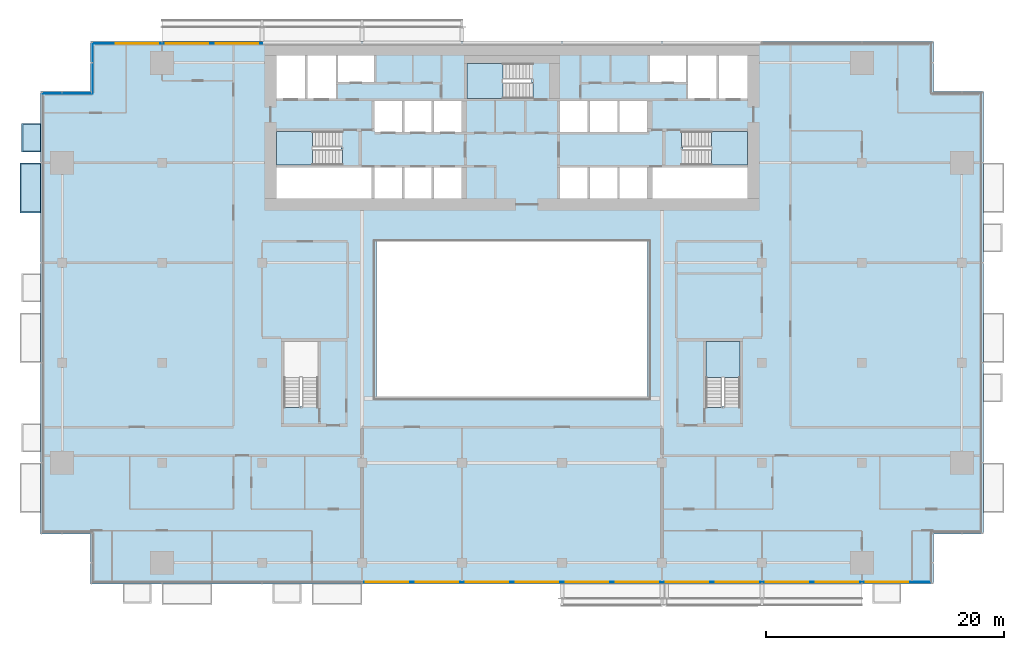
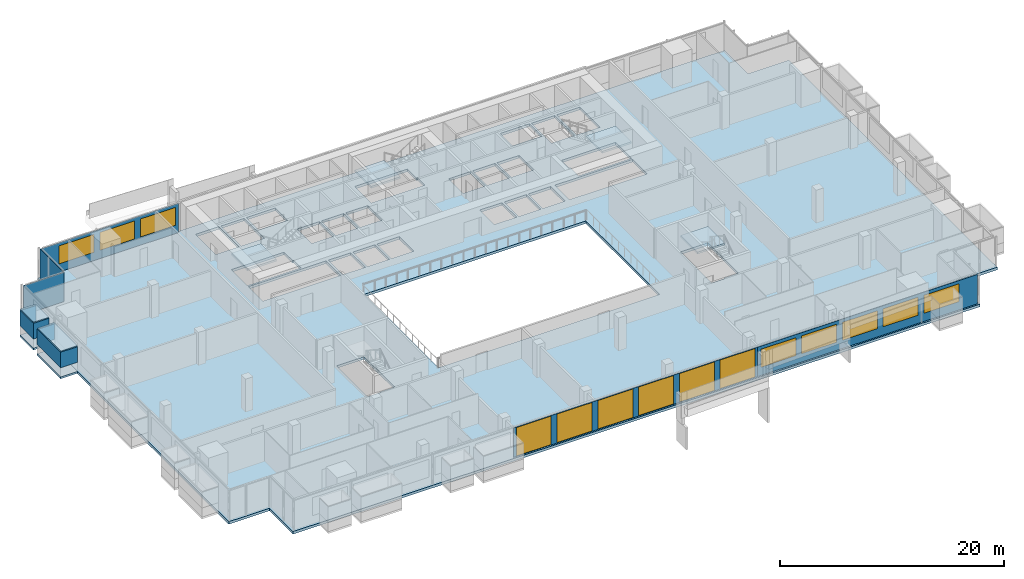
# One storey, part 15 of 26: 14 windows, 9 plates, 7 slabs, 14 openings, 8 elements without a shape of their own.
"""IFC4 building model written with IfcOpenShell, lengths in metres."""

from ifc_helpers import new_model, si_unit, direction, frame, frame_2d, origin, place, context, subcontext, project, spatial, polyline, rectangle, outline, extrude, material, layer, layer_set, type_object, element, fill, aggregate, save


model = new_model("IFC4")

# Units and contexts
model_context = context("Model", 3, precision=1e-05, world=origin(), true_north=direction((0.0, 1.0)))
body_context = subcontext(model_context, "Body", "Model", "MODEL_VIEW")
ifc_project = project(units=[si_unit("LENGTHUNIT", "METRE"), si_unit("AREAUNIT", "SQUARE_METRE"), si_unit("VOLUMEUNIT", "CUBIC_METRE"), si_unit("PLANEANGLEUNIT", "RADIAN"), si_unit("MASSUNIT", "GRAM", prefix="KILO")], contexts=[model_context])

# Site, building, storey
site_placement = place(None, origin())
site = spatial("IfcSite", under=ifc_project, at=site_placement, CompositionType="ELEMENT")
building_placement = place(site_placement, origin())
building = spatial("IfcBuilding", under=site, at=building_placement, Name="Saffron Gate Tower", CompositionType="ELEMENT")
storey_placement = place(building_placement, frame((0.0, 0.0, 102.449951171875)))
storey = spatial("IfcBuildingStorey", under=building, at=storey_placement, Name="L23", CompositionType="ELEMENT", Elevation=102.449951171875)

# Curtain wall, plates, openings, windows
ifc_material_1 = material(Name="Aluminium, bronze anodised", Category="aluminium")
curtain_wall_type_1 = type_object("IfcCurtainWallType", Name="CWS1 curtain wall front facade", PredefinedType="NOTDEFINED", material=ifc_material_1)
curtain_wall_1_placement = place(storey_placement, origin())
curtain_wall_1 = element("IfcCurtainWall", 1, at=curtain_wall_1_placement, inside=storey, type_object=curtain_wall_type_1, Name="CWS1 run 1", PredefinedType="NOTDEFINED")
ifc_material_2 = material(Name="Clear low-iron laminated glass", Category="glass")
ifc_layer_1 = layer(ifc_material_2, 0.028076171875)
ifc_layer_set_1 = layer_set([ifc_layer_1], Name="CWS1 clear glass")
plate_type_1 = type_object("IfcPlateType", Name="CWS1 clear glass", PredefinedType="CURTAIN_PANEL", material=ifc_layer_set_1)
plate_1_placement = place(storey_placement, frame((75.030029296875, 30.174072265625, 0.0), z_axis=(0.0, 0.0, 1.0), x_axis=(1.0, 0.0, 0.0)))
plate_1 = element("IfcPlate", 2, at=plate_1_placement, type_object=plate_type_1, Name="CWS1 clear glass panel", PredefinedType="CURTAIN_PANEL", context=body_context, shape_type="SweptSolid", body=[
    extrude(rectangle(XDim=25.139892578125, YDim=0.028076171875, at=frame_2d((12.56982421875, 0.0))), origin(), (0.0, 0.0, 1.0), 3.199951171875),
])
opening_1_placement = place(plate_1_placement, frame((0.27001953125, 0.0, 0.050048828125)))
opening_1 = element("IfcOpeningElement", 3, at=opening_1_placement, cuts=plate_1, Name="Opening WA", PredefinedType="OPENING", context=body_context, shape_type="SweptSolid", body=[
    extrude(rectangle(XDim=3.60009765625, YDim=3.10009765625, at=frame_2d((1.800048828125, 1.550048828125))), frame((0.0, 0.02392578125, 0.0), z_axis=(0.0, -1.0, 0.0), x_axis=(1.0, 0.0, 0.0)), (0.0, 0.0, 1.0), 0.048095703125),
])
opening_2_placement = place(plate_1_placement, frame((4.469970703125, 0.0, 0.050048828125)))
opening_2 = element("IfcOpeningElement", 4, at=opening_2_placement, cuts=plate_1, Name="Opening WA", PredefinedType="OPENING", context=body_context, shape_type="SweptSolid", body=[
    extrude(rectangle(XDim=3.60009765625, YDim=3.10009765625, at=frame_2d((1.800048828125, 1.550048828125))), frame((0.0, 0.02392578125, 0.0), z_axis=(0.0, -1.0, 0.0), x_axis=(1.0, 0.0, 0.0)), (0.0, 0.0, 1.0), 0.048095703125),
])
opening_3_placement = place(plate_1_placement, frame((8.669921875, 0.0, 0.050048828125)))
opening_3 = element("IfcOpeningElement", 5, at=opening_3_placement, cuts=plate_1, Name="Opening WA", PredefinedType="OPENING", context=body_context, shape_type="SweptSolid", body=[
    extrude(rectangle(XDim=3.60009765625, YDim=3.10009765625, at=frame_2d((1.800048828125, 1.550048828125))), frame((0.0, 0.02392578125, 0.0), z_axis=(0.0, -1.0, 0.0), x_axis=(1.0, 0.0, 0.0)), (0.0, 0.0, 1.0), 0.048095703125),
])
opening_4_placement = place(plate_1_placement, frame((12.8701171875, 0.0, 0.050048828125)))
opening_4 = element("IfcOpeningElement", 6, at=opening_4_placement, cuts=plate_1, Name="Opening WA", PredefinedType="OPENING", context=body_context, shape_type="SweptSolid", body=[
    extrude(rectangle(XDim=3.60009765625, YDim=3.10009765625, at=frame_2d((1.800048828125, 1.550048828125))), frame((0.0, 0.02392578125, 0.0), z_axis=(0.0, -1.0, 0.0), x_axis=(1.0, 0.0, 0.0)), (0.0, 0.0, 1.0), 0.048095703125),
])
opening_5_placement = place(plate_1_placement, frame((17.070068359375, 0.0, 0.050048828125)))
opening_5 = element("IfcOpeningElement", 7, at=opening_5_placement, cuts=plate_1, Name="Opening WA", PredefinedType="OPENING", context=body_context, shape_type="SweptSolid", body=[
    extrude(rectangle(XDim=3.60009765625, YDim=3.10009765625, at=frame_2d((1.800048828125, 1.550048828125))), frame((0.0, 0.02392578125, 0.0), z_axis=(0.0, -1.0, 0.0), x_axis=(1.0, 0.0, 0.0)), (0.0, 0.0, 1.0), 0.048095703125),
])
opening_6_placement = place(plate_1_placement, frame((21.27001953125, 0.0, 0.050048828125)))
opening_6 = element("IfcOpeningElement", 8, at=opening_6_placement, cuts=plate_1, Name="Opening WA", PredefinedType="OPENING", context=body_context, shape_type="SweptSolid", body=[
    extrude(rectangle(XDim=3.60009765625, YDim=3.10009765625, at=frame_2d((1.800048828125, 1.550048828125))), frame((0.0, 0.02392578125, 0.0), z_axis=(0.0, -1.0, 0.0), x_axis=(1.0, 0.0, 0.0)), (0.0, 0.0, 1.0), 0.048095703125),
])
ifc_material_3 = material(Name="Clear low-iron laminated glass in bronze frame", Category="glass")
ifc_layer_2 = layer(ifc_material_3, 0.06005859375)
ifc_layer_set_2 = layer_set([ifc_layer_2], Name="WA operable atrium unit 3600x3100")
window_type_1 = type_object("IfcWindowType", Name="WA operable atrium unit 3600x3100", PartitioningType="DOUBLE_PANEL_HORIZONTAL", PredefinedType="WINDOW", material=ifc_layer_set_2)
window_1_placement = place(opening_1_placement, origin())
window_1 = element("IfcWindow", 9, at=window_1_placement, type_object=window_type_1, Name="WA operable atrium unit", OverallHeight=3.10009765625, OverallWidth=3.60009765625, PartitioningType="SINGLE_PANEL", PredefinedType="WINDOW", context=body_context, shape_type="SweptSolid", body=[
    extrude(rectangle(XDim=3.60009765625, YDim=3.10009765625, at=frame_2d((1.800048828125, 1.550048828125))), frame((0.0, 0.013671875, 0.0), z_axis=(0.0, -1.0, 0.0), x_axis=(1.0, 0.0, 0.0)), (0.0, 0.0, 1.0), 0.027587890625),
])
fill(opening_1, window_1)
window_2_placement = place(opening_2_placement, origin())
window_2 = element("IfcWindow", 10, at=window_2_placement, type_object=window_type_1, Name="WA operable atrium unit", OverallHeight=3.10009765625, OverallWidth=3.60009765625, PartitioningType="SINGLE_PANEL", PredefinedType="WINDOW", context=body_context, shape_type="SweptSolid", body=[
    extrude(rectangle(XDim=3.60009765625, YDim=3.10009765625, at=frame_2d((1.800048828125, 1.550048828125))), frame((0.0, 0.013671875, 0.0), z_axis=(0.0, -1.0, 0.0), x_axis=(1.0, 0.0, 0.0)), (0.0, 0.0, 1.0), 0.027587890625),
])
fill(opening_2, window_2)
window_3_placement = place(opening_3_placement, origin())
window_3 = element("IfcWindow", 11, at=window_3_placement, type_object=window_type_1, Name="WA operable atrium unit", OverallHeight=3.10009765625, OverallWidth=3.60009765625, PartitioningType="SINGLE_PANEL", PredefinedType="WINDOW", context=body_context, shape_type="SweptSolid", body=[
    extrude(rectangle(XDim=3.60009765625, YDim=3.10009765625, at=frame_2d((1.800048828125, 1.550048828125))), frame((0.0, 0.013671875, 0.0), z_axis=(0.0, -1.0, 0.0), x_axis=(1.0, 0.0, 0.0)), (0.0, 0.0, 1.0), 0.027587890625),
])
fill(opening_3, window_3)
window_4_placement = place(opening_4_placement, origin())
window_4 = element("IfcWindow", 12, at=window_4_placement, type_object=window_type_1, Name="WA operable atrium unit", OverallHeight=3.10009765625, OverallWidth=3.60009765625, PartitioningType="SINGLE_PANEL", PredefinedType="WINDOW", context=body_context, shape_type="SweptSolid", body=[
    extrude(rectangle(XDim=3.60009765625, YDim=3.10009765625, at=frame_2d((1.800048828125, 1.550048828125))), frame((0.0, 0.013671875, 0.0), z_axis=(0.0, -1.0, 0.0), x_axis=(1.0, 0.0, 0.0)), (0.0, 0.0, 1.0), 0.027587890625),
])
fill(opening_4, window_4)
window_5_placement = place(opening_5_placement, origin())
window_5 = element("IfcWindow", 13, at=window_5_placement, type_object=window_type_1, Name="WA operable atrium unit", OverallHeight=3.10009765625, OverallWidth=3.60009765625, PartitioningType="SINGLE_PANEL", PredefinedType="WINDOW", context=body_context, shape_type="SweptSolid", body=[
    extrude(rectangle(XDim=3.60009765625, YDim=3.10009765625, at=frame_2d((1.800048828125, 1.550048828125))), frame((0.0, 0.013671875, 0.0), z_axis=(0.0, -1.0, 0.0), x_axis=(1.0, 0.0, 0.0)), (0.0, 0.0, 1.0), 0.027587890625),
])
fill(opening_5, window_5)
window_6_placement = place(opening_6_placement, origin())
window_6 = element("IfcWindow", 14, at=window_6_placement, type_object=window_type_1, Name="WA operable atrium unit", OverallHeight=3.10009765625, OverallWidth=3.60009765625, PartitioningType="SINGLE_PANEL", PredefinedType="WINDOW", context=body_context, shape_type="SweptSolid", body=[
    extrude(rectangle(XDim=3.60009765625, YDim=3.10009765625, at=frame_2d((1.800048828125, 1.550048828125))), frame((0.0, 0.013671875, 0.0), z_axis=(0.0, -1.0, 0.0), x_axis=(1.0, 0.0, 0.0)), (0.0, 0.0, 1.0), 0.027587890625),
])
fill(opening_6, window_6)
ifc_material_4 = material(Name="Fritted bronze-tinted laminated glass", Category="glass")
ifc_layer_3 = layer(ifc_material_4, 0.028076171875)
ifc_layer_set_3 = layer_set([ifc_layer_3], Name="CWS1 fixed glass")
plate_type_2 = type_object("IfcPlateType", Name="CWS1 fixed glass", PredefinedType="CURTAIN_PANEL", material=ifc_layer_set_3)
plate_2_placement = place(storey_placement, frame((100.169921875, 30.174072265625, 0.0), z_axis=(0.0, 0.0, 1.0), x_axis=(1.0, 0.0, 0.0)))
plate_2 = element("IfcPlate", 15, at=plate_2_placement, type_object=plate_type_2, Name="CWS1 glass panel", PredefinedType="CURTAIN_PANEL", context=body_context, shape_type="SweptSolid", body=[
    extrude(rectangle(XDim=22.64208984375, YDim=0.028076171875, at=frame_2d((11.321044921875, 0.0))), origin(), (0.0, 0.0, 1.0), 3.199951171875),
])
opening_7_placement = place(plate_2_placement, frame((0.330078125, 0.0, 0.89990234375)))
opening_7 = element("IfcOpeningElement", 16, at=opening_7_placement, cuts=plate_2, Name="Opening W1", PredefinedType="OPENING", context=body_context, shape_type="SweptSolid", body=[
    extrude(rectangle(XDim=3.60009765625, YDim=1.949951171875, at=frame_2d((1.800048828125, 0.97509765625))), frame((0.0, 0.02392578125, 0.0), z_axis=(0.0, -1.0, 0.0), x_axis=(1.0, 0.0, 0.0)), (0.0, 0.0, 1.0), 0.048095703125),
])
opening_8_placement = place(plate_2_placement, frame((4.530029296875, 0.0, 0.89990234375)))
opening_8 = element("IfcOpeningElement", 17, at=opening_8_placement, cuts=plate_2, Name="Opening W1", PredefinedType="OPENING", context=body_context, shape_type="SweptSolid", body=[
    extrude(rectangle(XDim=3.60009765625, YDim=1.949951171875, at=frame_2d((1.800048828125, 0.97509765625))), frame((0.0, 0.02392578125, 0.0), z_axis=(0.0, -1.0, 0.0), x_axis=(1.0, 0.0, 0.0)), (0.0, 0.0, 1.0), 0.048095703125),
])
opening_9_placement = place(plate_2_placement, frame((8.72998046875, 0.0, 0.89990234375)))
opening_9 = element("IfcOpeningElement", 18, at=opening_9_placement, cuts=plate_2, Name="Opening W1", PredefinedType="OPENING", context=body_context, shape_type="SweptSolid", body=[
    extrude(rectangle(XDim=3.60009765625, YDim=1.949951171875, at=frame_2d((1.800048828125, 0.97509765625))), frame((0.0, 0.02392578125, 0.0), z_axis=(0.0, -1.0, 0.0), x_axis=(1.0, 0.0, 0.0)), (0.0, 0.0, 1.0), 0.048095703125),
])
opening_10_placement = place(plate_2_placement, frame((12.929931640625, 0.0, 0.89990234375)))
opening_10 = element("IfcOpeningElement", 19, at=opening_10_placement, cuts=plate_2, Name="Opening W1", PredefinedType="OPENING", context=body_context, shape_type="SweptSolid", body=[
    extrude(rectangle(XDim=3.60009765625, YDim=1.949951171875, at=frame_2d((1.800048828125, 0.97509765625))), frame((0.0, 0.02392578125, 0.0), z_axis=(0.0, -1.0, 0.0), x_axis=(1.0, 0.0, 0.0)), (0.0, 0.0, 1.0), 0.048095703125),
])
opening_11_placement = place(plate_2_placement, frame((17.1298828125, 0.0, 0.89990234375)))
opening_11 = element("IfcOpeningElement", 20, at=opening_11_placement, cuts=plate_2, Name="Opening W1", PredefinedType="OPENING", context=body_context, shape_type="SweptSolid", body=[
    extrude(rectangle(XDim=3.60009765625, YDim=1.949951171875, at=frame_2d((1.800048828125, 0.97509765625))), frame((0.0, 0.02392578125, 0.0), z_axis=(0.0, -1.0, 0.0), x_axis=(1.0, 0.0, 0.0)), (0.0, 0.0, 1.0), 0.048095703125),
])
ifc_material_5 = material(Name="Fritted bronze-tinted laminated glass in bronze frame", Category="glass")
ifc_layer_4 = layer(ifc_material_5, 0.06005859375)
ifc_layer_set_4 = layer_set([ifc_layer_4], Name="W1 operable panel 3600x1950")
window_type_2 = type_object("IfcWindowType", Name="W1 operable panel 3600x1950", PartitioningType="DOUBLE_PANEL_HORIZONTAL", PredefinedType="WINDOW", material=ifc_layer_set_4)
window_7_placement = place(opening_7_placement, origin())
window_7 = element("IfcWindow", 21, at=window_7_placement, type_object=window_type_2, Name="W1 operable panel", OverallHeight=1.949951171875, OverallWidth=3.60009765625, PartitioningType="SINGLE_PANEL", PredefinedType="WINDOW", context=body_context, shape_type="SweptSolid", body=[
    extrude(rectangle(XDim=3.60009765625, YDim=1.949951171875, at=frame_2d((1.800048828125, 0.97509765625))), frame((0.0, 0.013671875, 0.0), z_axis=(0.0, -1.0, 0.0), x_axis=(1.0, 0.0, 0.0)), (0.0, 0.0, 1.0), 0.027587890625),
])
fill(opening_7, window_7)
window_8_placement = place(opening_8_placement, origin())
window_8 = element("IfcWindow", 22, at=window_8_placement, type_object=window_type_2, Name="W1 operable panel", OverallHeight=1.949951171875, OverallWidth=3.60009765625, PartitioningType="SINGLE_PANEL", PredefinedType="WINDOW", context=body_context, shape_type="SweptSolid", body=[
    extrude(rectangle(XDim=3.60009765625, YDim=1.949951171875, at=frame_2d((1.800048828125, 0.97509765625))), frame((0.0, 0.013671875, 0.0), z_axis=(0.0, -1.0, 0.0), x_axis=(1.0, 0.0, 0.0)), (0.0, 0.0, 1.0), 0.027587890625),
])
fill(opening_8, window_8)
window_9_placement = place(opening_9_placement, origin())
window_9 = element("IfcWindow", 23, at=window_9_placement, type_object=window_type_2, Name="W1 operable panel", OverallHeight=1.949951171875, OverallWidth=3.60009765625, PartitioningType="SINGLE_PANEL", PredefinedType="WINDOW", context=body_context, shape_type="SweptSolid", body=[
    extrude(rectangle(XDim=3.60009765625, YDim=1.949951171875, at=frame_2d((1.800048828125, 0.97509765625))), frame((0.0, 0.013671875, 0.0), z_axis=(0.0, -1.0, 0.0), x_axis=(1.0, 0.0, 0.0)), (0.0, 0.0, 1.0), 0.027587890625),
])
fill(opening_9, window_9)
window_10_placement = place(opening_10_placement, origin())
window_10 = element("IfcWindow", 24, at=window_10_placement, type_object=window_type_2, Name="W1 operable panel", OverallHeight=1.949951171875, OverallWidth=3.60009765625, PartitioningType="SINGLE_PANEL", PredefinedType="WINDOW", context=body_context, shape_type="SweptSolid", body=[
    extrude(rectangle(XDim=3.60009765625, YDim=1.949951171875, at=frame_2d((1.800048828125, 0.97509765625))), frame((0.0, 0.013671875, 0.0), z_axis=(0.0, -1.0, 0.0), x_axis=(1.0, 0.0, 0.0)), (0.0, 0.0, 1.0), 0.027587890625),
])
fill(opening_10, window_10)
window_11_placement = place(opening_11_placement, origin())
window_11 = element("IfcWindow", 25, at=window_11_placement, type_object=window_type_2, Name="W1 operable panel", OverallHeight=1.949951171875, OverallWidth=3.60009765625, PartitioningType="SINGLE_PANEL", PredefinedType="WINDOW", context=body_context, shape_type="SweptSolid", body=[
    extrude(rectangle(XDim=3.60009765625, YDim=1.949951171875, at=frame_2d((1.800048828125, 0.97509765625))), frame((0.0, 0.013671875, 0.0), z_axis=(0.0, -1.0, 0.0), x_axis=(1.0, 0.0, 0.0)), (0.0, 0.0, 1.0), 0.027587890625),
])
fill(opening_11, window_11)
aggregate(curtain_wall_1, [plate_2, plate_1, window_7, window_8, window_9, window_10, window_11, window_1, window_2, window_3, window_4, window_5, window_6])

# Curtain wall, plate, openings, windows
curtain_wall_type_2 = type_object("IfcCurtainWallType", Name="CWS3 curtain wall rear facade", PredefinedType="NOTDEFINED", material=ifc_material_1)
curtain_wall_2_placement = place(storey_placement, origin())
curtain_wall_2 = element("IfcCurtainWall", 26, at=curtain_wall_2_placement, inside=storey, type_object=curtain_wall_type_2, Name="CWS3 run 7", PredefinedType="NOTDEFINED")
ifc_material_6 = material(Name="Fritted grey-tinted laminated glass", Category="glass")
ifc_layer_5 = layer(ifc_material_6, 0.028076171875)
ifc_layer_set_5 = layer_set([ifc_layer_5], Name="CWS3 fixed glass")
plate_type_3 = type_object("IfcPlateType", Name="CWS3 fixed glass", PredefinedType="CURTAIN_PANEL", material=ifc_layer_set_5)
plate_3_placement = place(storey_placement, frame((66.635009765625, 75.426025390625, 0.0), z_axis=(0.0, 0.0, 1.0), x_axis=(-1.0, 0.0, 0.0)))
plate_3 = element("IfcPlate", 27, at=plate_3_placement, type_object=plate_type_3, Name="CWS3 glass panel", PredefinedType="CURTAIN_PANEL", context=body_context, shape_type="SweptSolid", body=[
    extrude(rectangle(XDim=14.2470703125, YDim=0.028076171875, at=frame_2d((7.12353515625, 0.0))), origin(), (0.0, 0.0, 1.0), 3.199951171875),
])
opening_12_placement = place(plate_3_placement, frame((0.3349609375, 0.0, 0.89990234375)))
opening_12 = element("IfcOpeningElement", 28, at=opening_12_placement, cuts=plate_3, Name="Opening W1", PredefinedType="OPENING", context=body_context, shape_type="SweptSolid", body=[
    extrude(rectangle(XDim=3.60009765625, YDim=1.949951171875, at=frame_2d((1.800048828125, 0.97509765625))), frame((0.0, 0.02392578125, 0.0), z_axis=(0.0, -1.0, 0.0), x_axis=(1.0, 0.0, 0.0)), (0.0, 0.0, 1.0), 0.048095703125),
])
opening_13_placement = place(plate_3_placement, frame((4.534912109375, 0.0, 0.89990234375)))
opening_13 = element("IfcOpeningElement", 29, at=opening_13_placement, cuts=plate_3, Name="Opening W1", PredefinedType="OPENING", context=body_context, shape_type="SweptSolid", body=[
    extrude(rectangle(XDim=3.60009765625, YDim=1.949951171875, at=frame_2d((1.800048828125, 0.97509765625))), frame((0.0, 0.02392578125, 0.0), z_axis=(0.0, -1.0, 0.0), x_axis=(1.0, 0.0, 0.0)), (0.0, 0.0, 1.0), 0.048095703125),
])
opening_14_placement = place(plate_3_placement, frame((8.735107421875, 0.0, 0.89990234375)))
opening_14 = element("IfcOpeningElement", 30, at=opening_14_placement, cuts=plate_3, Name="Opening W1", PredefinedType="OPENING", context=body_context, shape_type="SweptSolid", body=[
    extrude(rectangle(XDim=3.60009765625, YDim=1.949951171875, at=frame_2d((1.800048828125, 0.97509765625))), frame((0.0, 0.02392578125, 0.0), z_axis=(0.0, -1.0, 0.0), x_axis=(1.0, 0.0, 0.0)), (0.0, 0.0, 1.0), 0.048095703125),
])
window_12_placement = place(opening_12_placement, origin())
window_12 = element("IfcWindow", 31, at=window_12_placement, type_object=window_type_2, Name="W1 operable panel", OverallHeight=1.949951171875, OverallWidth=3.60009765625, PartitioningType="SINGLE_PANEL", PredefinedType="WINDOW", context=body_context, shape_type="SweptSolid", body=[
    extrude(rectangle(XDim=3.60009765625, YDim=1.949951171875, at=frame_2d((1.800048828125, 0.97509765625))), frame((0.0, 0.013671875, 0.0), z_axis=(0.0, -1.0, 0.0), x_axis=(1.0, 0.0, 0.0)), (0.0, 0.0, 1.0), 0.027587890625),
])
fill(opening_12, window_12)
window_13_placement = place(opening_13_placement, origin())
window_13 = element("IfcWindow", 32, at=window_13_placement, type_object=window_type_2, Name="W1 operable panel", OverallHeight=1.949951171875, OverallWidth=3.60009765625, PartitioningType="SINGLE_PANEL", PredefinedType="WINDOW", context=body_context, shape_type="SweptSolid", body=[
    extrude(rectangle(XDim=3.60009765625, YDim=1.949951171875, at=frame_2d((1.800048828125, 0.97509765625))), frame((0.0, 0.013671875, 0.0), z_axis=(0.0, -1.0, 0.0), x_axis=(1.0, 0.0, 0.0)), (0.0, 0.0, 1.0), 0.027587890625),
])
fill(opening_13, window_13)
window_14_placement = place(opening_14_placement, origin())
window_14 = element("IfcWindow", 33, at=window_14_placement, type_object=window_type_2, Name="W1 operable panel", OverallHeight=1.949951171875, OverallWidth=3.60009765625, PartitioningType="SINGLE_PANEL", PredefinedType="WINDOW", context=body_context, shape_type="SweptSolid", body=[
    extrude(rectangle(XDim=3.60009765625, YDim=1.949951171875, at=frame_2d((1.800048828125, 0.97509765625))), frame((0.0, 0.013671875, 0.0), z_axis=(0.0, -1.0, 0.0), x_axis=(1.0, 0.0, 0.0)), (0.0, 0.0, 1.0), 0.027587890625),
])
fill(opening_14, window_14)
aggregate(curtain_wall_2, [plate_3, window_12, window_13, window_14])

# Curtain wall, plate
curtain_wall_type_3 = type_object("IfcCurtainWallType", Name="CWS4 curtain wall corner returns", PredefinedType="NOTDEFINED", material=ifc_material_1)
curtain_wall_3_placement = place(storey_placement, origin())
curtain_wall_3 = element("IfcCurtainWall", 34, at=curtain_wall_3_placement, inside=storey, type_object=curtain_wall_type_3, Name="CWS4 run 8", PredefinedType="NOTDEFINED")
ifc_layer_6 = layer(ifc_material_4, 0.028076171875)
ifc_layer_set_6 = layer_set([ifc_layer_6], Name="CWS4 fixed glass")
plate_type_4 = type_object("IfcPlateType", Name="CWS4 fixed glass", PredefinedType="CURTAIN_PANEL", material=ifc_layer_set_6)
plate_4_placement = place(storey_placement, frame((52.3740234375, 75.412109375, 0.0), z_axis=(0.0, 0.0, 1.0), x_axis=(0.0, -1.0, 0.0)))
plate_4 = element("IfcPlate", 35, at=plate_4_placement, type_object=plate_type_4, Name="CWS4 glass panel", PredefinedType="CURTAIN_PANEL", context=body_context, shape_type="SweptSolid", body=[
    extrude(rectangle(XDim=4.172119140625, YDim=0.028076171875, at=frame_2d((2.0859375, 0.0))), origin(), (0.0, 0.0, 1.0), 3.199951171875),
])
aggregate(curtain_wall_3, [plate_4])

curtain_wall_4_placement = place(storey_placement, origin())
curtain_wall_4 = element("IfcCurtainWall", 36, at=curtain_wall_4_placement, inside=storey, type_object=curtain_wall_type_3, Name="CWS4 run 9", PredefinedType="NOTDEFINED")
plate_5_placement = place(storey_placement, frame((52.360107421875, 71.22607421875, 0.0), z_axis=(0.0, 0.0, 1.0), x_axis=(-1.0, 0.0, 0.0)))
plate_5 = element("IfcPlate", 37, at=plate_5_placement, type_object=plate_type_4, Name="CWS4 glass panel", PredefinedType="CURTAIN_PANEL", context=body_context, shape_type="SweptSolid", body=[
    extrude(rectangle(XDim=4.172119140625, YDim=0.028076171875, at=frame_2d((2.0859375, 0.0))), origin(), (0.0, 0.0, 1.0), 3.199951171875),
])
aggregate(curtain_wall_4, [plate_5])

# Slab
ifc_material_7 = material(Name="Concrete C40", Category="concrete")
ifc_layer_7 = layer(ifc_material_7, 0.280029296875)
ifc_layer_set_7 = layer_set([ifc_layer_7], Name="S2 FLOOR SLAB 280 CONCRETE C40")
slab_type_1 = type_object("IfcSlabType", Name="S2 FLOOR SLAB 280 CONCRETE C40", PredefinedType="FLOOR", material=ifc_layer_set_7)
slab_1_placement = place(storey_placement, frame((0.0, 0.0, -0.280029296875)))
element("IfcSlab", 38, at=slab_1_placement, inside=storey, type_object=slab_type_1, Name="S2 FLOOR SLAB", PredefinedType="FLOOR", context=body_context, shape_type="SweptSolid", body=[
    extrude(outline(polyline([(48.0, 34.199951171875), (52.199951171875, 34.199951171875), (52.199951171875, 30.0), (123.0, 30.0), (123.0, 34.199951171875), (127.199951171875, 34.199951171875), (127.199951171875, 71.39990234375), (123.0, 71.39990234375), (123.0, 75.60009765625), (52.199951171875, 75.60009765625), (52.199951171875, 71.39990234375), (48.0, 71.39990234375), (48.0, 34.199951171875)]), holes=[polyline([(67.800048828125, 62.39990234375), (67.800048828125, 65.0), (75.800048828125, 65.0), (75.800048828125, 62.39990234375), (67.800048828125, 62.39990234375)]), polyline([(67.800048828125, 65.199951171875), (67.800048828125, 68.050048828125), (73.25, 68.050048828125), (73.25, 66.550048828125), (73.34912109375, 66.550048828125), (73.34912109375, 65.199951171875), (67.800048828125, 65.199951171875)]), polyline([(67.800048828125, 70.800048828125), (67.800048828125, 74.39990234375), (70.199951171875, 74.39990234375), (70.199951171875, 70.800048828125), (67.800048828125, 70.800048828125)]), polyline([(68.449951171875, 44.85107421875), (68.449951171875, 50.39990234375), (71.300048828125, 50.39990234375), (71.300048828125, 44.949951171875), (69.800048828125, 44.949951171875), (69.800048828125, 44.85107421875), (68.449951171875, 44.85107421875)]), polyline([(70.39990234375, 70.800048828125), (70.39990234375, 74.39990234375), (72.800048828125, 74.39990234375), (72.800048828125, 70.800048828125), (70.39990234375, 70.800048828125)]), polyline([(73.0, 72.199951171875), (73.0, 74.39990234375), (76.0, 74.39990234375), (76.0, 72.199951171875), (73.0, 72.199951171875)]), polyline([(76.050048828125, 62.39990234375), (76.050048828125, 65.0), (78.35009765625, 65.0), (78.35009765625, 62.39990234375), (76.050048828125, 62.39990234375)]), polyline([(76.050048828125, 68.0), (76.050048828125, 70.60009765625), (78.35009765625, 70.60009765625), (78.35009765625, 68.0), (76.050048828125, 68.0)]), polyline([(76.199951171875, 45.60009765625), (76.199951171875, 58.800048828125), (99.0, 58.800048828125), (99.0, 45.60009765625), (76.199951171875, 45.60009765625)]), polyline([(78.550048828125, 62.39990234375), (78.550048828125, 65.0), (80.85009765625, 65.0), (80.85009765625, 62.39990234375), (78.550048828125, 62.39990234375)]), polyline([(78.550048828125, 68.0), (78.550048828125, 70.60009765625), (80.85009765625, 70.60009765625), (80.85009765625, 68.0), (78.550048828125, 68.0)]), polyline([(81.050048828125, 62.39990234375), (81.050048828125, 65.0), (83.35009765625, 65.0), (83.35009765625, 62.39990234375), (81.050048828125, 62.39990234375)]), polyline([(81.050048828125, 68.0), (81.050048828125, 70.60009765625), (83.35009765625, 70.60009765625), (83.35009765625, 68.0), (81.050048828125, 68.0)]), polyline([(83.800048828125, 70.800048828125), (83.800048828125, 73.75), (89.25, 73.75), (89.25, 72.14990234375), (89.34912109375, 72.14990234375), (89.34912109375, 70.800048828125), (83.800048828125, 70.800048828125)]), polyline([(91.64990234375, 62.39990234375), (91.64990234375, 65.0), (93.949951171875, 65.0), (93.949951171875, 62.39990234375), (91.64990234375, 62.39990234375)]), polyline([(91.64990234375, 68.0), (91.64990234375, 70.60009765625), (93.949951171875, 70.60009765625), (93.949951171875, 68.0), (91.64990234375, 68.0)]), polyline([(94.14990234375, 62.39990234375), (94.14990234375, 65.0), (96.449951171875, 65.0), (96.449951171875, 62.39990234375), (94.14990234375, 62.39990234375)]), polyline([(94.14990234375, 68.0), (94.14990234375, 70.60009765625), (96.449951171875, 70.60009765625), (96.449951171875, 68.0), (94.14990234375, 68.0)]), polyline([(96.64990234375, 62.39990234375), (96.64990234375, 65.0), (98.949951171875, 65.0), (98.949951171875, 62.39990234375), (96.64990234375, 62.39990234375)]), polyline([(96.64990234375, 68.0), (96.64990234375, 70.60009765625), (98.949951171875, 70.60009765625), (98.949951171875, 68.0), (96.64990234375, 68.0)]), polyline([(99.199951171875, 72.199951171875), (99.199951171875, 74.39990234375), (102.199951171875, 74.39990234375), (102.199951171875, 72.199951171875), (99.199951171875, 72.199951171875)]), polyline([(99.39990234375, 62.39990234375), (99.39990234375, 65.0), (107.39990234375, 65.0), (107.39990234375, 62.39990234375), (99.39990234375, 62.39990234375)]), polyline([(101.85107421875, 66.699951171875), (101.85107421875, 68.050048828125), (107.39990234375, 68.050048828125), (107.39990234375, 65.199951171875), (101.949951171875, 65.199951171875), (101.949951171875, 66.699951171875), (101.85107421875, 66.699951171875)]), polyline([(102.39990234375, 70.800048828125), (102.39990234375, 74.39990234375), (104.800048828125, 74.39990234375), (104.800048828125, 70.800048828125), (102.39990234375, 70.800048828125)]), polyline([(103.89990234375, 44.85107421875), (103.89990234375, 50.39990234375), (106.75, 50.39990234375), (106.75, 44.949951171875), (105.25, 44.949951171875), (105.25, 44.85107421875), (103.89990234375, 44.85107421875)]), polyline([(105.0, 70.800048828125), (105.0, 74.39990234375), (107.39990234375, 74.39990234375), (107.39990234375, 70.800048828125), (105.0, 70.800048828125)])]), origin(), (0.0, 0.0, 1.0), 0.280029296875),
])

# Stair, slab
stair_type = type_object("IfcStairType", Name="ST7 Stair 1350 wide, 20 risers of 180", PredefinedType="HALF_TURN_STAIR", material=ifc_material_7)
stair_1_placement = place(storey_placement, origin())
stair_1 = element("IfcStair", 39, at=stair_1_placement, inside=storey, type_object=stair_type, Name="L23 Exit stair A", PredefinedType="HALF_TURN_STAIR")
ifc_layer_8 = layer(ifc_material_7, 0.199951171875)
ifc_layer_set_8 = layer_set([ifc_layer_8], Name="SL1 Stair landing 200")
slab_type_2 = type_object("IfcSlabType", Name="SL1 Stair landing 200", PredefinedType="LANDING", material=ifc_layer_set_8)
slab_2_placement = place(storey_placement, frame((0.0, 0.0, 1.60009765625)))
slab_2 = element("IfcSlab", 40, at=slab_2_placement, type_object=slab_type_2, Name="ST-A landing 1", PredefinedType="LANDING", context=body_context, shape_type="SweptSolid", body=[
    extrude(outline(polyline([(70.830078125, 68.050048828125), (67.800048828125, 68.050048828125), (67.800048828125, 65.199951171875), (70.830078125, 65.199951171875), (70.830078125, 68.050048828125)])), origin(), (0.0, 0.0, 1.0), 0.199951171875),
])
aggregate(stair_1, [slab_2])

stair_2_placement = place(storey_placement, origin())
stair_2 = element("IfcStair", 41, at=stair_2_placement, inside=storey, type_object=stair_type, Name="L23 Exit stair B", PredefinedType="HALF_TURN_STAIR")
slab_3_placement = place(storey_placement, frame((0.0, 0.0, 1.60009765625)))
slab_3 = element("IfcSlab", 42, at=slab_3_placement, type_object=slab_type_2, Name="ST-B landing 1", PredefinedType="LANDING", context=body_context, shape_type="SweptSolid", body=[
    extrude(outline(polyline([(104.3701171875, 65.199951171875), (107.39990234375, 65.199951171875), (107.39990234375, 68.050048828125), (104.3701171875, 68.050048828125), (104.3701171875, 65.199951171875)])), origin(), (0.0, 0.0, 1.0), 0.199951171875),
])
aggregate(stair_2, [slab_3])

stair_3_placement = place(storey_placement, origin())
stair_3 = element("IfcStair", 43, at=stair_3_placement, inside=storey, type_object=stair_type, Name="L23 Exit stair C", PredefinedType="HALF_TURN_STAIR")
slab_4_placement = place(storey_placement, frame((0.0, 0.0, 1.60009765625)))
slab_4 = element("IfcSlab", 44, at=slab_4_placement, type_object=slab_type_2, Name="ST-C landing 1", PredefinedType="LANDING", context=body_context, shape_type="SweptSolid", body=[
    extrude(outline(polyline([(86.830078125, 73.75), (83.800048828125, 73.75), (83.800048828125, 70.800048828125), (86.830078125, 70.800048828125), (86.830078125, 73.75)])), origin(), (0.0, 0.0, 1.0), 0.199951171875),
])
aggregate(stair_3, [slab_4])

stair_4_placement = place(storey_placement, origin())
stair_4 = element("IfcStair", 45, at=stair_4_placement, inside=storey, type_object=stair_type, Name="L23 Exit stair E", PredefinedType="HALF_TURN_STAIR")
slab_5_placement = place(storey_placement, frame((0.0, 0.0, 1.60009765625)))
slab_5 = element("IfcSlab", 46, at=slab_5_placement, type_object=slab_type_2, Name="ST-E landing 1", PredefinedType="LANDING", context=body_context, shape_type="SweptSolid", body=[
    extrude(outline(polyline([(106.75, 47.3701171875), (106.75, 50.39990234375), (103.89990234375, 50.39990234375), (103.89990234375, 47.3701171875), (106.75, 47.3701171875)])), origin(), (0.0, 0.0, 1.0), 0.199951171875),
])
aggregate(stair_4, [slab_5])

# Slabs
ifc_material_8 = material(Name="Timber deck on bronze frame", Category="wood")
ifc_layer_9 = layer(ifc_material_8, 0.199951171875)
ifc_layer_set_9 = layer_set([ifc_layer_9], Name="WB1 box floor")
slab_type_3 = type_object("IfcSlabType", Name="WB1 box floor", PredefinedType="FLOOR", material=ifc_layer_set_9)
slab_6_placement = place(storey_placement, frame((0.0, 0.0, -0.199951171875)))
element("IfcSlab", 47, at=slab_6_placement, inside=storey, type_object=slab_type_3, Name="WINDOW BOX floor", PredefinedType="FLOOR", context=body_context, shape_type="SweptSolid", body=[
    extrude(outline(polyline([(48.0, 68.699951171875), (48.0, 66.300048828125), (46.39990234375, 66.300048828125), (46.39990234375, 68.699951171875), (48.0, 68.699951171875)])), origin(), (0.0, 0.0, 1.0), 0.199951171875),
])
slab_7_placement = place(storey_placement, frame((0.0, 0.0, -0.199951171875)))
element("IfcSlab", 48, at=slab_7_placement, inside=storey, type_object=slab_type_3, Name="WINDOW BOX floor", PredefinedType="FLOOR", context=body_context, shape_type="SweptSolid", body=[
    extrude(outline(polyline([(48.0, 65.39990234375), (48.0, 61.199951171875), (46.26708984375, 61.199951171875), (46.26708984375, 65.39990234375), (48.0, 65.39990234375)])), origin(), (0.0, 0.0, 1.0), 0.199951171875),
])

# Plates
ifc_layer_10 = layer(ifc_material_1, 0.1201171875)
ifc_layer_set_10 = layer_set([ifc_layer_10], Name="WB2 box roof")
plate_type_5 = type_object("IfcPlateType", Name="WB2 box roof", PredefinedType="SHEET", material=ifc_layer_set_10)
plate_6_placement = place(storey_placement, frame((0.0, 0.0, 2.699951171875)))
element("IfcPlate", 49, at=plate_6_placement, inside=storey, type_object=plate_type_5, Name="WINDOW BOX roof", PredefinedType="SHEET", context=body_context, shape_type="SweptSolid", body=[
    extrude(outline(polyline([(48.0, 68.699951171875), (48.0, 66.300048828125), (46.39990234375, 66.300048828125), (46.39990234375, 68.699951171875), (48.0, 68.699951171875)])), origin(), (0.0, 0.0, 1.0), 0.1201171875),
])
plate_7_placement = place(storey_placement, frame((0.0, 0.0, 2.699951171875)))
element("IfcPlate", 50, at=plate_7_placement, inside=storey, type_object=plate_type_5, Name="WINDOW BOX roof", PredefinedType="SHEET", context=body_context, shape_type="SweptSolid", body=[
    extrude(outline(polyline([(48.0, 65.39990234375), (48.0, 61.199951171875), (46.26708984375, 61.199951171875), (46.26708984375, 65.39990234375), (48.0, 65.39990234375)])), origin(), (0.0, 0.0, 1.0), 0.1201171875),
])
ifc_layer_11 = layer(ifc_material_2, 0.10009765625)
ifc_layer_set_11 = layer_set([ifc_layer_11], Name="WB6 box glazing")
plate_type_6 = type_object("IfcPlateType", Name="WB6 box glazing", PredefinedType="SHEET", material=ifc_layer_set_11)
plate_8_placement = place(storey_placement, frame((0.0, 0.0, 1.0)))
element("IfcPlate", 51, at=plate_8_placement, inside=storey, type_object=plate_type_6, Name="WINDOW BOX glazing", PredefinedType="SHEET", context=body_context, shape_type="SweptSolid", body=[
    extrude(outline(polyline([(48.0, 68.699951171875), (48.0, 68.60009765625), (46.5, 68.60009765625), (46.5, 66.39990234375), (48.0, 66.39990234375), (48.0, 66.300048828125), (46.39990234375, 66.300048828125), (46.39990234375, 68.699951171875), (48.0, 68.699951171875)])), origin(), (0.0, 0.0, 1.0), 1.699951171875),
])
plate_9_placement = place(storey_placement, frame((0.0, 0.0, 1.0)))
element("IfcPlate", 52, at=plate_9_placement, inside=storey, type_object=plate_type_6, Name="WINDOW BOX glazing", PredefinedType="SHEET", context=body_context, shape_type="SweptSolid", body=[
    extrude(outline(polyline([(48.0, 65.39990234375), (48.0, 65.300048828125), (46.366943359375, 65.300048828125), (46.366943359375, 61.300048828125), (48.0, 61.300048828125), (48.0, 61.199951171875), (46.26708984375, 61.199951171875), (46.26708984375, 65.39990234375), (48.0, 65.39990234375)])), origin(), (0.0, 0.0, 1.0), 1.699951171875),
])

save(model, "model.ifc")
